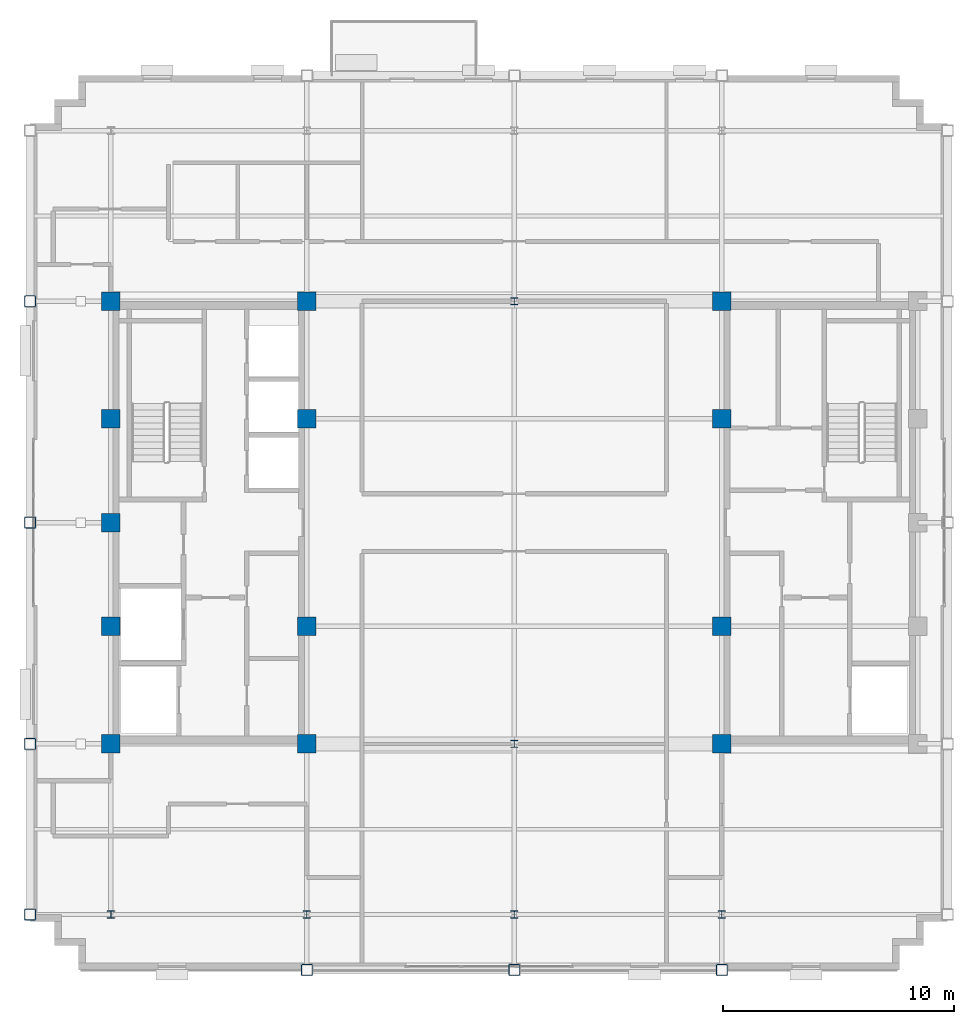
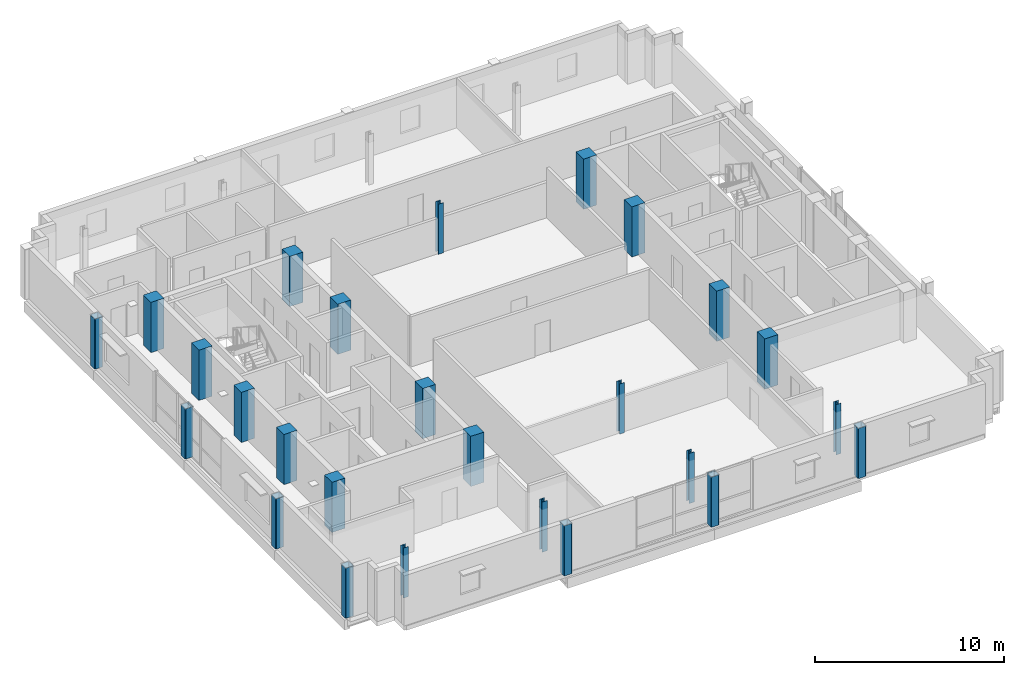
# One storey, part 1 of 15: 26 columns.
"""IFC4 building model written with IfcOpenShell, lengths in metres."""

from ifc_helpers import new_model, si_unit, direction, frame, origin, origin_2d, place, context, subcontext, project, spatial, rectangle, hollow_rectangle, i_section, extrude, material, material_profile, profile_set, type_object, element, save


model = new_model("IFC4")

# Units and contexts
model_context = context("Model", 3, precision=1e-05, world=origin(), true_north=direction((0.0, 1.0)))
body_context = subcontext(model_context, "Body", "Model", "MODEL_VIEW")
ifc_project = project(units=[si_unit("LENGTHUNIT", "METRE"), si_unit("AREAUNIT", "SQUARE_METRE"), si_unit("VOLUMEUNIT", "CUBIC_METRE"), si_unit("PLANEANGLEUNIT", "RADIAN"), si_unit("MASSUNIT", "GRAM", prefix="KILO")], contexts=[model_context])

# Site, building, storey
site_placement = place(None, origin())
site = spatial("IfcSite", under=ifc_project, at=site_placement, CompositionType="ELEMENT")
building_placement = place(site_placement, origin())
building = spatial("IfcBuilding", under=site, at=building_placement, Name="Nuvemarco Arch Tower", CompositionType="ELEMENT")
storey_placement = place(building_placement, frame((0.0, 0.0, 283.5)))
storey = spatial("IfcBuildingStorey", under=building, at=storey_placement, Name="L75", CompositionType="ELEMENT", Elevation=283.5)

# Columns
ifc_material_1 = material(Name="Concrete C50/60", Category="concrete")
ifc_material_profile_1 = material_profile(ifc_material_1, rectangle(XDim=0.800048828125, YDim=0.800048828125, at=origin_2d()), Name="RC-COL-800x800")
ifc_profile_set_1 = profile_set([ifc_material_profile_1], Name="Concrete C50/60")
column_type_1 = type_object("IfcColumnType", Name="COL-CORE-800", PredefinedType="COLUMN", material=ifc_profile_set_1)
for number, where, z_axis, x_axis, name in (
    (1, (-17.5, -9.60009765625, 0.0), (0.0, 0.0, 1.0), (1.0, 0.0, 0.0), "L75 column CC_-17.5_-9.6"),
    (2, (-17.5, -4.5, 0.0), (0.0, 0.0, 1.0), (1.0, 0.0, 0.0), "L75 column CC_-17.5_-4.5"),
    (3, (-17.5, 4.5, 0.0), (0.0, 0.0, 1.0), (1.0, 0.0, 0.0), "L75 column CC_-17.5_+4.5"),
    (4, (-17.5, 9.60009765625, 0.0), (0.0, 0.0, 1.0), (1.0, 0.0, 0.0), "L75 column CC_-17.5_+9.6"),
    (5, (-9.0, -9.60009765625, 0.0), (0.0, 0.0, 1.0), (1.0, 0.0, 0.0), "L75 column CC_-9.0_-9.6"),
    (6, (-9.0, -4.5, 0.0), (0.0, 0.0, 1.0), (1.0, 0.0, 0.0), "L75 column CC_-9.0_-4.5"),
    (7, (-9.0, 4.5, 0.0), (0.0, 0.0, 1.0), (1.0, 0.0, 0.0), "L75 column CC_-9.0_+4.5"),
    (8, (-9.0, 9.60009765625, 0.0), (0.0, 0.0, 1.0), (1.0, 0.0, 0.0), "L75 column CC_-9.0_+9.6"),
    (9, (9.0, -9.60009765625, 0.0), (0.0, 0.0, 1.0), (1.0, 0.0, 0.0), "L75 column CC_+9.0_-9.6"),
    (10, (9.0, -4.5, 0.0), (0.0, 0.0, 1.0), (1.0, 0.0, 0.0), "L75 column CC_+9.0_-4.5"),
    (11, (9.0, 4.5, 0.0), (0.0, 0.0, 1.0), (1.0, 0.0, 0.0), "L75 column CC_+9.0_+4.5"),
    (12, (9.0, 9.60009765625, 0.0), (0.0, 0.0, 1.0), (1.0, 0.0, 0.0), "L75 column CC_+9.0_+9.6"),
    (13, (-17.5, 0.0, 0.0), (0.0, 0.0, 1.0), (1.0, 0.0, 0.0), "L75 column CC_-17.5_+0.0"),
):
    element("IfcColumn", number, at=place(storey_placement, frame(where, z_axis=z_axis, x_axis=x_axis)), inside=storey, type_object=column_type_1, Name=name, PredefinedType="COLUMN", context=body_context, shape_type="SweptSolid", body=[
        extrude(rectangle(XDim=0.800048828125, YDim=0.800048828125, at=origin_2d()), origin(), (0.0, 0.0, 1.0), 3.25),
    ])
ifc_material_2 = material(Name="Steel S355", Category="steel")
ifc_material_profile_2 = material_profile(ifc_material_2, hollow_rectangle(XDim=0.5, YDim=0.5, WallThickness=0.031982421875, InnerFilletRadius=0.031982421875, OuterFilletRadius=0.06396484375, at=origin_2d()), Name="SHS500x500x32")
ifc_profile_set_2 = profile_set([ifc_material_profile_2], Name="Steel S355")
column_type_2 = type_object("IfcColumnType", Name="COL-EXO-500", PredefinedType="COLUMN", material=ifc_profile_set_2)
for number, where, z_axis, x_axis, name in (
    (14, (-21.0, -17.0, 0.0), (0.0, 0.0, 1.0), (1.0, 0.0, 0.0), "L75 column CX_-21.0_-17.0"),
    (15, (-21.0, -9.60009765625, 0.0), (0.0, 0.0, 1.0), (1.0, 0.0, 0.0), "L75 column CX_-21.0_-9.6"),
    (16, (-21.0, 0.0, 0.0), (0.0, 0.0, 1.0), (1.0, 0.0, 0.0), "L75 column CX_-21.0_+0.0"),
    (17, (-21.0, 9.60009765625, 0.0), (0.0, 0.0, 1.0), (1.0, 0.0, 0.0), "L75 column CX_-21.0_+9.6"),
    (18, (-9.0, -19.39990234375, 0.0), (0.0, 0.0, 1.0), (1.0, 0.0, 0.0), "L75 column CY_-9.0_-19.4"),
    (19, (0.0, -19.39990234375, 0.0), (0.0, 0.0, 1.0), (1.0, 0.0, 0.0), "L75 column CY_+0.0_-19.4"),
    (20, (9.0, -19.39990234375, 0.0), (0.0, 0.0, 1.0), (1.0, 0.0, 0.0), "L75 column CY_+9.0_-19.4"),
):
    element("IfcColumn", number, at=place(storey_placement, frame(where, z_axis=z_axis, x_axis=x_axis)), inside=storey, type_object=column_type_2, Name=name, PredefinedType="COLUMN", context=body_context, shape_type="SweptSolid", body=[
        extrude(hollow_rectangle(XDim=0.5, YDim=0.5, WallThickness=0.031982421875, InnerFilletRadius=0.031982421875, OuterFilletRadius=0.06396484375, at=origin_2d()), origin(), (0.0, 0.0, 1.0), 3.25),
    ])
ifc_material_profile_3 = material_profile(ifc_material_2, i_section(OverallWidth=0.31005859375, OverallDepth=0.31005859375, WebThickness=0.015380859375, FlangeThickness=0.015380859375, FilletRadius=0.014892578125, at=origin_2d()), Name="HP310x110")
ifc_profile_set_3 = profile_set([ifc_material_profile_3], Name="Steel S355")
column_type_3 = type_object("IfcColumnType", Name="COL-STL-HP310", PredefinedType="COLUMN", material=ifc_profile_set_3)
for number, where, z_axis, x_axis, name in (
    (21, (0.0, -17.0, 0.0), (0.0, 0.0, 1.0), (1.0, 0.0, 0.0), "L75 column CI_+0.0_-17.0"),
    (22, (0.0, -9.60009765625, 0.0), (0.0, 0.0, 1.0), (1.0, 0.0, 0.0), "L75 column CI_+0.0_-9.6"),
    (23, (0.0, 9.60009765625, 0.0), (0.0, 0.0, 1.0), (1.0, 0.0, 0.0), "L75 column CI_+0.0_+9.6"),
    (24, (-17.5, -17.0, 0.0), (0.0, 0.0, 1.0), (1.0, 0.0, 0.0), "L75 column CI_-17.5_-17.0"),
    (25, (-9.0, -17.0, 0.0), (0.0, 0.0, 1.0), (1.0, 0.0, 0.0), "L75 column CI_-9.0_-17.0"),
    (26, (9.0, -17.0, 0.0), (0.0, 0.0, 1.0), (1.0, 0.0, 0.0), "L75 column CI_+9.0_-17.0"),
):
    element("IfcColumn", number, at=place(storey_placement, frame(where, z_axis=z_axis, x_axis=x_axis)), inside=storey, type_object=column_type_3, Name=name, PredefinedType="COLUMN", context=body_context, shape_type="SweptSolid", body=[
        extrude(i_section(OverallWidth=0.31005859375, OverallDepth=0.31005859375, WebThickness=0.015380859375, FlangeThickness=0.015380859375, FilletRadius=0.014892578125, at=origin_2d()), origin(), (0.0, 0.0, 1.0), 3.25),
    ])

save(model, "model.ifc")
